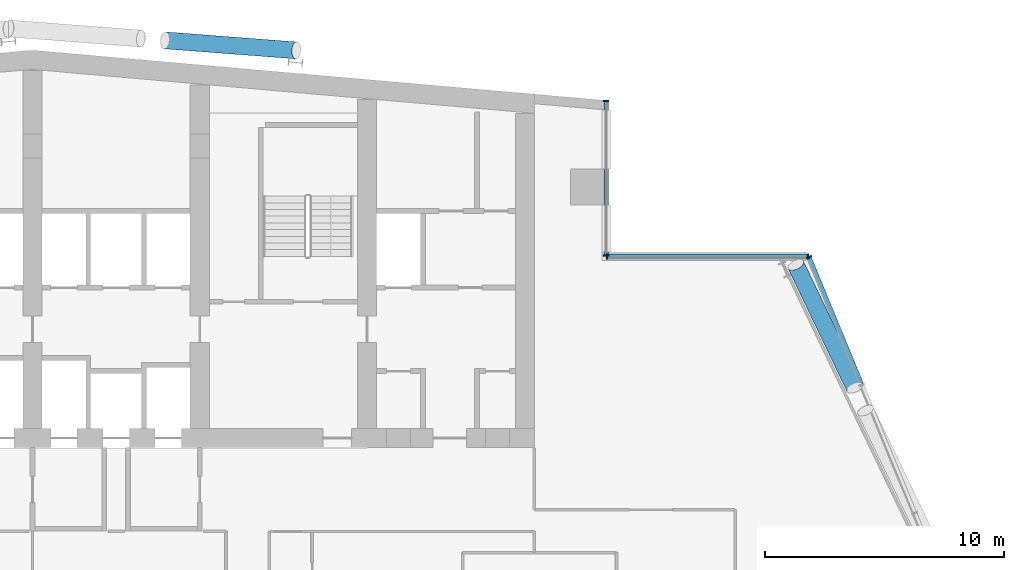
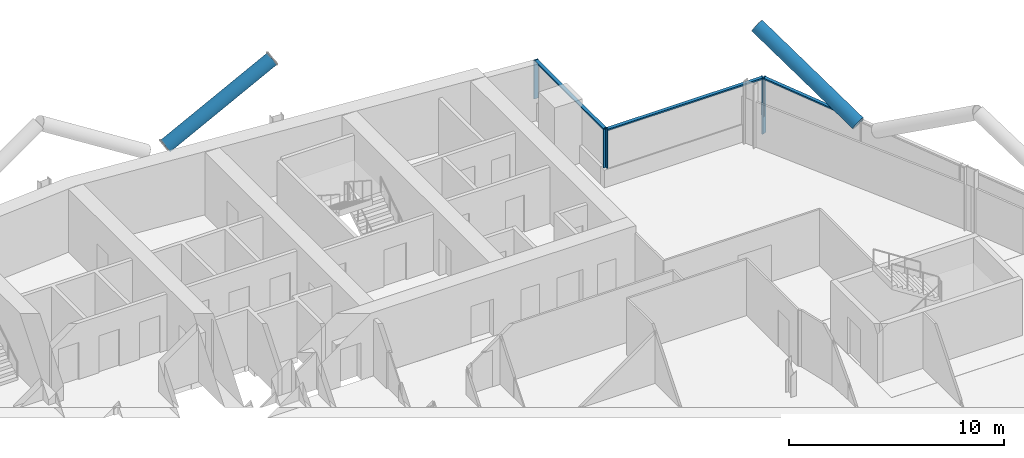
# One storey, part 10 of 26: 10 members, 3 elements without a shape of their own.
"""IFC4 building model written with IfcOpenShell, lengths in metres."""

from ifc_helpers import new_model, si_unit, direction, frame, origin, origin_2d, place, context, subcontext, project, spatial, rectangle, hollow_circle, extrude, material, material_profile, profile_set, type_object, element, aggregate, save


model = new_model("IFC4")

# Units and contexts
model_context = context("Model", 3, precision=1e-05, world=origin(), true_north=direction((0.0, 1.0)))
body_context = subcontext(model_context, "Body", "Model", "MODEL_VIEW")
ifc_project = project(units=[si_unit("LENGTHUNIT", "METRE"), si_unit("AREAUNIT", "SQUARE_METRE"), si_unit("VOLUMEUNIT", "CUBIC_METRE"), si_unit("PLANEANGLEUNIT", "RADIAN"), si_unit("MASSUNIT", "GRAM", prefix="KILO")], contexts=[model_context])

# Site, building, storey
site_placement = place(None, origin())
site = spatial("IfcSite", under=ifc_project, at=site_placement, CompositionType="ELEMENT")
building_placement = place(site_placement, origin())
building = spatial("IfcBuilding", under=site, at=building_placement, Name="Wharfspan Tower", CompositionType="ELEMENT")
storey_placement = place(building_placement, frame((0.0, 0.0, 173.5)))
storey = spatial("IfcBuildingStorey", under=building, at=storey_placement, Name="L42", CompositionType="ELEMENT", Elevation=173.5)

# Curtain wall, member
ifc_material_1 = material(Name="Aluminium 6063-T6", Category="aluminium")
curtain_wall_type = type_object("IfcCurtainWallType", Name="CURTAIN WALL PROW AND END", PredefinedType="NOTDEFINED", material=ifc_material_1)
curtain_wall_1_placement = place(storey_placement, origin())
curtain_wall_1 = element("IfcCurtainWall", 1, at=curtain_wall_1_placement, inside=storey, type_object=curtain_wall_type, Name="Curtain wall E", PredefinedType="NOTDEFINED")
ifc_material_profile_1 = material_profile(ifc_material_1, rectangle(XDim=0.23999, YDim=0.060059, at=origin_2d()))
ifc_profile_set_1 = profile_set([ifc_material_profile_1], Name="Aluminium 6063-T6")
member_type_1 = type_object("IfcMemberType", Name="MULLION PROW AND END 60x240", PredefinedType="MULLION", material=ifc_profile_set_1)
member_1_placement = place(storey_placement, frame((69.488525, 41.972168, 0.0), z_axis=(0.0, 0.0, 1.0), x_axis=(-0.924325, -0.381602, 0.0)))
member_1 = element("IfcMember", 2, at=member_1_placement, type_object=member_type_1, Name="Curtain wall E mullion 8", PredefinedType="MULLION", context=body_context, shape_type="SweptSolid", body=[
    extrude(rectangle(XDim=0.23999, YDim=0.060059, at=origin_2d()), origin(), (0.0, 0.0, 1.0), 3.199951),
])

# Curtain wall, members
curtain_wall_2_placement = place(storey_placement, origin())
curtain_wall_2 = element("IfcCurtainWall", 3, at=curtain_wall_2_placement, inside=storey, type_object=curtain_wall_type, Name="Curtain wall NRE-H", PredefinedType="NOTDEFINED")
member_2_placement = place(storey_placement, frame((69.447021, 42.0, 1.0), z_axis=(0.0, 0.0, 1.0), x_axis=(0.0, -1.0, 0.0)))
member_2 = element("IfcMember", 4, at=member_2_placement, type_object=member_type_1, Name="Curtain wall NRE-H mullion 1", PredefinedType="MULLION", context=body_context, shape_type="SweptSolid", body=[
    extrude(rectangle(XDim=0.23999, YDim=0.060059, at=origin_2d()), origin(), (0.0, 0.0, 1.0), 2.199951),
])
member_3_placement = place(storey_placement, frame((61.030029, 42.0, 1.0), z_axis=(0.0, 0.0, 1.0), x_axis=(0.0, -1.0, 0.0)))
member_3 = element("IfcMember", 5, at=member_3_placement, type_object=member_type_1, Name="Curtain wall NRE-H mullion 2", PredefinedType="MULLION", context=body_context, shape_type="SweptSolid", body=[
    extrude(rectangle(XDim=0.23999, YDim=0.060059, at=origin_2d()), origin(), (0.0, 0.0, 1.0), 2.199951),
])

curtain_wall_3_placement = place(storey_placement, origin())
curtain_wall_3 = element("IfcCurtainWall", 6, at=curtain_wall_3_placement, inside=storey, type_object=curtain_wall_type, Name="Curtain wall NRE-V", PredefinedType="NOTDEFINED")
member_4_placement = place(storey_placement, frame((61.0, 42.030029, 1.0), z_axis=(0.0, 0.0, 1.0), x_axis=(-1.0, 0.0, 0.0)))
member_4 = element("IfcMember", 7, at=member_4_placement, type_object=member_type_1, Name="Curtain wall NRE-V mullion 1", PredefinedType="MULLION", context=body_context, shape_type="SweptSolid", body=[
    extrude(rectangle(XDim=0.23999, YDim=0.060059, at=origin_2d()), origin(), (0.0, 0.0, 1.0), 2.199951),
])
member_5_placement = place(storey_placement, frame((61.0, 48.494873, 1.0), z_axis=(0.0, 0.0, 1.0), x_axis=(-1.0, 0.0, 0.0)))
member_5 = element("IfcMember", 8, at=member_5_placement, type_object=member_type_1, Name="Curtain wall NRE-V mullion 2", PredefinedType="MULLION", context=body_context, shape_type="SweptSolid", body=[
    extrude(rectangle(XDim=0.23999, YDim=0.060059, at=origin_2d()), origin(), (0.0, 0.0, 1.0), 2.199951),
])

# Members
ifc_material_2 = material(Name="Steel S460NH", Category="steel")
ifc_material_profile_2 = material_profile(ifc_material_2, hollow_circle(Radius=0.355469, WallThickness=0.035889, at=origin_2d()))
ifc_profile_set_2 = profile_set([ifc_material_profile_2], Name="Steel S460NH")
member_type_2 = type_object("IfcMemberType", Name="Mega brace CHS 711x36", PredefinedType="BRACE", material=ifc_profile_set_2)
member_6_placement = place(storey_placement, frame((71.401123, 36.504395, 3.205811), z_axis=(-0.374119, 0.780731, 0.500494), x_axis=(-0.90181, -0.432137, -3e-06)))
element("IfcMember", 9, at=member_6_placement, inside=storey, type_object=member_type_2, Name="Mega brace E6 L42 part 2", PredefinedType="BRACE", context=body_context, shape_type="SweptSolid", body=[
    extrude(hollow_circle(Radius=0.355469, WallThickness=0.035889, at=origin_2d()), origin(), (0.0, 0.0, 1.0), 6.581787),
])
member_7_placement = place(storey_placement, frame((42.543213, 51.037354, 3.203125), z_axis=(0.855612, -0.065363, 0.513474), x_axis=(0.07617, 0.997093, 2e-06)))
element("IfcMember", 10, at=member_7_placement, inside=storey, type_object=member_type_2, Name="Mega brace N8 L42 part 2", PredefinedType="BRACE", context=body_context, shape_type="SweptSolid", body=[
    extrude(hollow_circle(Radius=0.355469, WallThickness=0.035889, at=origin_2d()), origin(), (0.0, 0.0, 1.0), 6.420654),
])

# Member
ifc_material_profile_3 = material_profile(ifc_material_1, rectangle(XDim=0.179932, YDim=0.080078, at=origin_2d()))
ifc_profile_set_3 = profile_set([ifc_material_profile_3], Name="Aluminium 6063-T6")
member_type_3 = type_object("IfcMemberType", Name="TRANSOM PROW AND END 80x180", PredefinedType="USERDEFINED", material=ifc_profile_set_3)
member_8_placement = place(storey_placement, frame((71.683105, 36.65625, 3.159912), z_axis=(-0.38158, 0.924336, 0.0), x_axis=(-0.924336, -0.38158, 0.0)))
member_8 = element("IfcMember", 11, at=member_8_placement, type_object=member_type_3, Name="Curtain wall E transom 7", ObjectType="TRANSOM", PredefinedType="USERDEFINED", context=body_context, shape_type="SweptSolid", body=[
    extrude(rectangle(XDim=0.179932, YDim=0.080078, at=origin_2d()), origin(), (0.0, 0.0, 1.0), 5.721191),
])

aggregate(curtain_wall_1, [member_1, member_8])

member_9_placement = place(storey_placement, frame((69.416992, 42.0, 3.159912), z_axis=(-1.0, 0.0, 0.0), x_axis=(0.0, -1.0, 0.0)))
member_9 = element("IfcMember", 12, at=member_9_placement, type_object=member_type_3, Name="Curtain wall NRE-H transom 1", ObjectType="TRANSOM", PredefinedType="USERDEFINED", context=body_context, shape_type="SweptSolid", body=[
    extrude(rectangle(XDim=0.179932, YDim=0.080078, at=origin_2d()), origin(), (0.0, 0.0, 1.0), 8.356934),
])

aggregate(curtain_wall_2, [member_2, member_3, member_9])

member_10_placement = place(storey_placement, frame((61.0, 42.060059, 3.159912), z_axis=(0.0, 1.0, 0.0), x_axis=(-1.0, 0.0, 0.0)))
member_10 = element("IfcMember", 13, at=member_10_placement, type_object=member_type_3, Name="Curtain wall NRE-V transom 1", ObjectType="TRANSOM", PredefinedType="USERDEFINED", context=body_context, shape_type="SweptSolid", body=[
    extrude(rectangle(XDim=0.179932, YDim=0.080078, at=origin_2d()), origin(), (0.0, 0.0, 1.0), 6.404785),
])

aggregate(curtain_wall_3, [member_4, member_5, member_10])

save(model, "model.ifc")
